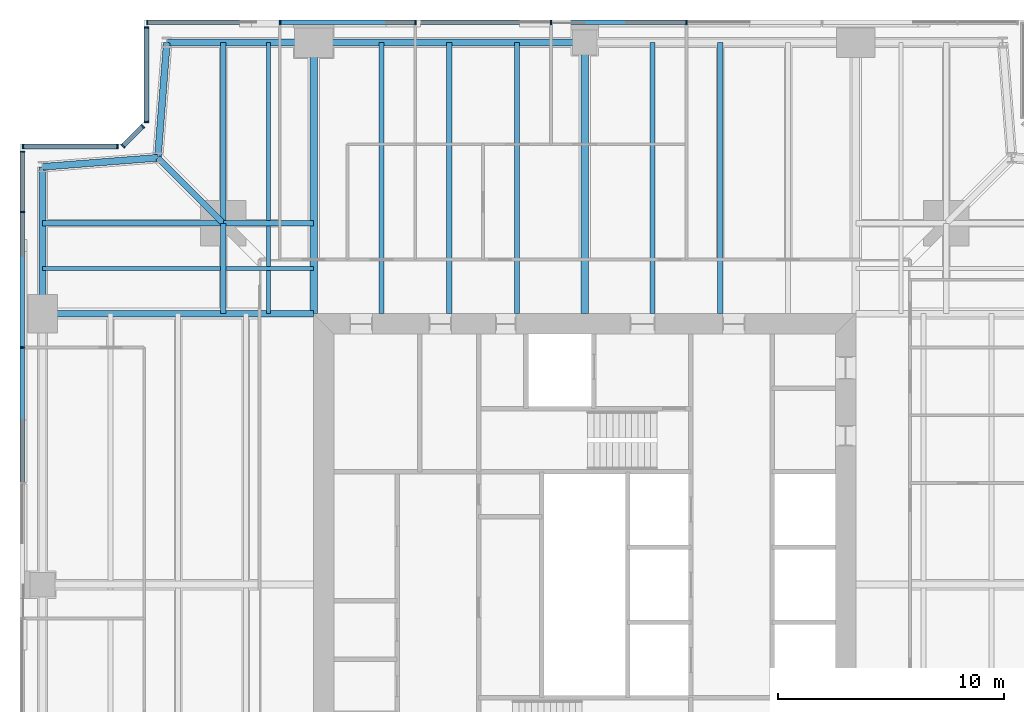
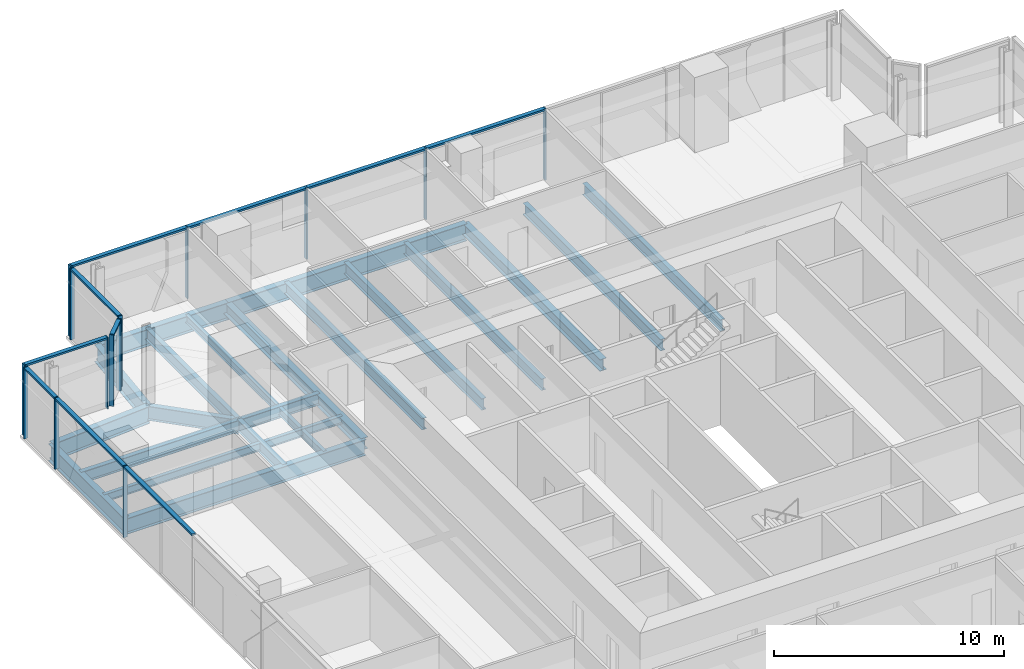
# One storey, part 6 of 15: 24 members, 23 beams, 5 elements without a shape of their own.
"""IFC4 building model written with IfcOpenShell, lengths in metres."""

import ifcopenshell
import ifcopenshell.guid

model = None  # the IFC model being written
_history = None  # IfcOwnerHistory: only IFC2X3 demands one
_inside = {}  # id of a spatial element -> (the spatial element, [elements in it])
_under = {}  # id of a project, library or spatial element -> (it, [spatial elements below it])
_declared = {}  # id of a project -> (the project, [libraries it declares])
_typed = {}  # id of a type object -> (the type object, [elements of that type])
_made_of = {}  # id of a material, layer set ... -> (it, [elements and type objects made of it])


def new_model(schema):
    """Start an empty IFC model of exactly this schema.

    Asked for "IFC4X3", IfcOpenShell would pick the latest addendum, in which some entities
    have other attributes; the version numbers below select the first issue.
    IFC2X3 requires an IfcOwnerHistory on every rooted entity: one is made here for all.
    """
    global model, _history
    if schema == "IFC4X3":
        model = ifcopenshell.file(schema_version=(4, 3, 0, 0))
    else:
        model = ifcopenshell.file(schema=schema)
    _inside.clear()
    _under.clear()
    _declared.clear()
    _typed.clear()
    _made_of.clear()
    _history = None
    if model.schema == "IFC2X3":
        org = make("IfcOrganization", Name="unknown")
        user = make(
            "IfcPersonAndOrganization",
            ThePerson=make("IfcPerson", FamilyName="unknown"),
            TheOrganization=org,
        )
        app = make(
            "IfcApplication",
            ApplicationDeveloper=org,
            Version="unknown",
            ApplicationFullName="unknown",
            ApplicationIdentifier="unknown",
        )
        _history = make(
            "IfcOwnerHistory",
            OwningUser=user,
            OwningApplication=app,
            ChangeAction="ADDED",
            CreationDate=0,
        )
    return model


def make(cls, **values):
    """One entity of the class cls with the attributes given. An attribute that is None is left unset."""
    return model.create_entity(
        cls, **{name: value for name, value in values.items() if value is not None}
    )


def rooted(cls, **values):
    """An entity with a GlobalId (a new one), such as an element, a storey or a relation."""
    return make(cls, GlobalId=ifcopenshell.guid.new(), OwnerHistory=_history, **values)


def si_unit(unit_type, name, prefix=None):
    """IfcSIUnit, for example si_unit("LENGTHUNIT", "METRE", prefix="MILLI")."""
    return make("IfcSIUnit", UnitType=unit_type, Prefix=prefix, Name=name)


def assignment(units):
    """IfcUnitAssignment: the units of a project."""
    return None if units is None else make("IfcUnitAssignment", Units=units)


def point(xyz):
    """IfcCartesianPoint."""
    return None if xyz is None else make("IfcCartesianPoint", Coordinates=xyz)


def direction(xyz):
    """IfcDirection."""
    return None if xyz is None else make("IfcDirection", DirectionRatios=xyz)


def frame(location, z_axis=None, x_axis=None):
    """IfcAxis2Placement3D, a coordinate frame: its origin and axes. An axis left out is left unset."""
    return make(
        "IfcAxis2Placement3D",
        Location=point(location),
        Axis=direction(z_axis),
        RefDirection=direction(x_axis),
    )


def frame_2d(location, x_axis=None):
    """IfcAxis2Placement2D, a coordinate frame in the plane: its origin and x axis."""
    return make(
        "IfcAxis2Placement2D", Location=point(location), RefDirection=direction(x_axis)
    )


def origin():
    """The frame at (0, 0, 0) with its axes left unset."""
    return frame((0.0, 0.0, 0.0))


def origin_2d():
    """The frame at (0, 0) in the plane with its x axis left unset."""
    return frame_2d((0.0, 0.0))


def place(relative_to, where):
    """IfcLocalPlacement: puts the frame where relative to a parent placement (None: the world)."""
    return make(
        "IfcLocalPlacement", PlacementRelTo=relative_to, RelativePlacement=where
    )


def context(
    kind, dimensions, precision=None, world=None, true_north=None, identifier=None
):
    """IfcGeometricRepresentationContext, for example the 3D "Model" context."""
    return make(
        "IfcGeometricRepresentationContext",
        ContextIdentifier=identifier,
        ContextType=kind,
        CoordinateSpaceDimension=dimensions,
        Precision=precision,
        WorldCoordinateSystem=world,
        TrueNorth=true_north,
    )


def subcontext(parent, identifier, kind, view, scale=None):
    """IfcGeometricRepresentationSubContext, for example "Body" below "Model"."""
    return make(
        "IfcGeometricRepresentationSubContext",
        ContextIdentifier=identifier,
        ContextType=kind,
        ParentContext=parent,
        TargetScale=scale,
        TargetView=view,
    )


def project(units=None, contexts=None):
    """IfcProject with its units and contexts."""
    return rooted(
        "IfcProject",
        Name="project",
        RepresentationContexts=contexts,
        UnitsInContext=assignment(units),
    )


def spatial(cls, under=None, at=None, **own):
    """A site, building, storey or space (cls), placed at a placement, below another one or the project."""
    s = rooted(cls, ObjectPlacement=at, **own)
    if under is not None:
        _under.setdefault(under.id(), (under, []))[1].append(s)
    return s


def profile(cls, at=None, kind="AREA", **sizes):
    """A parametric profile (cls). Its sizes go by their IFC names, for example OverallWidth=200.0."""
    return make(cls, ProfileType=kind, Position=at, **sizes)


def rectangle(**sizes):
    """IfcRectangleProfileDef."""
    return profile("IfcRectangleProfileDef", **sizes)


def i_section(**sizes):
    """IfcIShapeProfileDef."""
    return profile("IfcIShapeProfileDef", **sizes)


def extrude(swept, where, along, depth):
    """IfcExtrudedAreaSolid: the profile swept, set in the frame where, extruded along a direction by depth."""
    return make(
        "IfcExtrudedAreaSolid",
        SweptArea=swept,
        Position=where,
        ExtrudedDirection=direction(along),
        Depth=depth,
    )


def shape(context_of_items, identifier, shape_type, items):
    """IfcShapeRepresentation: the items that make up one representation, for example the "Body"."""
    return make(
        "IfcShapeRepresentation",
        ContextOfItems=context_of_items,
        RepresentationIdentifier=identifier,
        RepresentationType=shape_type,
        Items=items,
    )


def material(Name=None, Category=None):
    """IfcMaterial."""
    return make("IfcMaterial", Name=Name, Category=Category)


def material_profile(
    of_material, cross_section, Name=None, Category=None, Priority=None
):
    """IfcMaterialProfile: a cross section and its material."""
    return make(
        "IfcMaterialProfile",
        Name=Name,
        Material=of_material,
        Profile=cross_section,
        Priority=Priority,
        Category=Category,
    )


def profile_set(profiles, Name=None, composite=None):
    """IfcMaterialProfileSet."""
    return make(
        "IfcMaterialProfileSet",
        Name=Name,
        MaterialProfiles=profiles,
        CompositeProfile=composite,
    )


def made_of(thing, what):
    """Note that an element or type object is made of a material, layer set ...; save() writes the relation."""
    if what is not None:
        _made_of.setdefault(what.id(), (what, []))[1].append(thing)
    return thing


def type_object(cls, material=None, **own):
    """A type object (cls), such as IfcWallType, which elements share."""
    return made_of(rooted(cls, **own), material)


def element(
    cls,
    number,
    at=None,
    inside=None,
    cuts=None,
    type_object=None,
    material=None,
    context=None,
    identifier="Body",
    shape_type=None,
    held_by="IfcProductDefinitionShape",
    body=None,
    shapes=None,
    **own,
):
    """One element of the class cls, such as IfcWall. Its Tag is "e" and its number.

    at: its placement. inside: the storey or other place that contains it. cuts: it is an
    opening in that element (IfcRelVoidsElement). A single representation is given by context,
    identifier, shape_type and body (its items); several are given by shapes. held_by: the class
    of the entity that holds the representations. save() writes the other relations.
    """
    e = rooted(cls, Tag="e%d" % number, ObjectPlacement=at, **own)
    if body is not None:
        shapes = [shape(context, identifier, shape_type, body)]
    if shapes is not None:
        e.Representation = make(held_by, Representations=shapes)
    if inside is not None:
        _inside.setdefault(inside.id(), (inside, []))[1].append(e)
    if cuts is not None:
        rooted(
            "IfcRelVoidsElement", RelatingBuildingElement=cuts, RelatedOpeningElement=e
        )
    if type_object is not None:
        _typed.setdefault(type_object.id(), (type_object, []))[1].append(e)
    return made_of(e, material)


def aggregate(whole, parts):
    """IfcRelAggregates: a whole, such as a stair, and the parts it consists of."""
    return rooted("IfcRelAggregates", RelatingObject=whole, RelatedObjects=parts)


def save(model, path):
    """Write the relations noted so far, then the file.

    IfcRelAggregates (storeys below a building ...), IfcRelContainedInSpatialStructure (elements
    in a storey), IfcRelDefinesByType, IfcRelAssociatesMaterial and IfcRelDeclares: one each for
    every whole, place, type object, material and project.
    """
    for whole, parts in _under.values():
        aggregate(whole, parts)
    for where, things in _inside.values():
        rooted(
            "IfcRelContainedInSpatialStructure",
            RelatedElements=things,
            RelatingStructure=where,
        )
    for kind, things in _typed.values():
        rooted("IfcRelDefinesByType", RelatedObjects=things, RelatingType=kind)
    for what, things in _made_of.values():
        rooted("IfcRelAssociatesMaterial", RelatedObjects=things, RelatingMaterial=what)
    for by, libraries in _declared.values():
        rooted("IfcRelDeclares", RelatingContext=by, RelatedDefinitions=libraries)
    model.write(path)


model = new_model("IFC4")

# Units and contexts
model_context = context("Model", 3, precision=1e-05, world=origin(), true_north=direction((0.0, 1.0)))
body_context = subcontext(model_context, "Body", "Model", "MODEL_VIEW")
ifc_project = project(units=[si_unit("LENGTHUNIT", "METRE"), si_unit("AREAUNIT", "SQUARE_METRE"), si_unit("VOLUMEUNIT", "CUBIC_METRE"), si_unit("PLANEANGLEUNIT", "RADIAN"), si_unit("MASSUNIT", "GRAM", prefix="KILO")], contexts=[model_context])

# Site, building, storey
site_placement = place(None, origin())
site = spatial("IfcSite", under=ifc_project, at=site_placement, CompositionType="ELEMENT")
building_placement = place(site_placement, origin())
building = spatial("IfcBuilding", under=site, at=building_placement, Name="Fenwick Lantern Interchange", CompositionType="ELEMENT")
storey_placement = place(building_placement, frame((0.0, 0.0, 229.800048828125)))
storey = spatial("IfcBuildingStorey", under=building, at=storey_placement, Name="L54", CompositionType="ELEMENT", Elevation=229.800048828125)

# Beams
ifc_material_1 = material(Name="Steel ASTM A992 Grade 50", Category="steel")
ifc_material_profile_1 = material_profile(ifc_material_1, i_section(OverallWidth=0.3046875, OverallDepth=0.911865234375, WebThickness=0.015869140625, FlangeThickness=0.02392578125, at=origin_2d()), Name="W36X150")
ifc_profile_set_1 = profile_set([ifc_material_profile_1], Name="Steel ASTM A992 Grade 50")
beam_type_1 = type_object("IfcBeamType", Name="EDGE BEAM W36X150", PredefinedType="SPANDREL", material=ifc_profile_set_1)
beam_1_placement = place(storey_placement, frame((25.0, 49.0, -0.60595703125), z_axis=(-1.0, 0.0, 0.0), x_axis=(0.0, -1.0, 0.0)))
element("IfcBeam", 1, at=beam_1_placement, inside=storey, type_object=beam_type_1, Name="L54/FR/N/EB3", PredefinedType="SPANDREL", context=body_context, shape_type="SweptSolid", body=[
    extrude(i_section(OverallWidth=0.3046875, OverallDepth=0.911865234375, WebThickness=0.015869140625, FlangeThickness=0.02392578125, at=origin_2d()), origin(), (0.0, 0.0, 1.0), 12.0),
])
beam_2_placement = place(storey_placement, frame((13.0, 49.0, -0.60595703125), z_axis=(-1.0, 0.0, 0.0), x_axis=(0.0, -1.0, 0.0)))
element("IfcBeam", 2, at=beam_2_placement, inside=storey, type_object=beam_type_1, Name="L54/FR/N/EB4", PredefinedType="SPANDREL", context=body_context, shape_type="SweptSolid", body=[
    extrude(i_section(OverallWidth=0.3046875, OverallDepth=0.911865234375, WebThickness=0.015869140625, FlangeThickness=0.02392578125, at=origin_2d()), origin(), (0.0, 0.0, 1.0), 6.5),
])
for number, where, z_axis, x_axis, name in (
    (3, (6.5, 49.0, -0.60595703125), (-0.078170784639, -0.99693998236, 0.0), (0.99693998236, -0.078170784639, 0.0), "L54/FR/N/EBR1"),
    (4, (6.10009765625, 43.89990234375, -0.60595703125), (-0.99693998236, -0.078170784639, 0.0), (0.078170784639, -0.99693998236, 0.0), "L54/FR/N/EBR2"),
):
    element("IfcBeam", number, at=place(storey_placement, frame(where, z_axis=z_axis, x_axis=x_axis)), inside=storey, type_object=beam_type_1, Name=name, PredefinedType="SPANDREL", context=body_context, shape_type="SweptSolid", body=[
        extrude(i_section(OverallWidth=0.3046875, OverallDepth=0.911865234375, WebThickness=0.015869140625, FlangeThickness=0.02392578125, at=origin_2d()), origin(), (0.0, 0.0, 1.0), 5.11572265625),
    ])
beam_3_placement = place(storey_placement, frame((1.0, 43.5, -0.60595703125), z_axis=(0.0, -1.0, 0.0), x_axis=(1.0, 0.0, 0.0)))
element("IfcBeam", 5, at=beam_3_placement, inside=storey, type_object=beam_type_1, Name="L54/FR/W/EB1", PredefinedType="SPANDREL", context=body_context, shape_type="SweptSolid", body=[
    extrude(i_section(OverallWidth=0.3046875, OverallDepth=0.911865234375, WebThickness=0.015869140625, FlangeThickness=0.02392578125, at=origin_2d()), origin(), (0.0, 0.0, 1.0), 6.5),
])
ifc_material_profile_2 = material_profile(ifc_material_1, i_section(OverallWidth=0.22900390625, OverallDepth=0.612060546875, WebThickness=0.011962890625, FlangeThickness=0.01953125, at=origin_2d()), Name="W24X84")
ifc_profile_set_2 = profile_set([ifc_material_profile_2], Name="Steel ASTM A992 Grade 50")
beam_type_2 = type_object("IfcBeamType", Name="FLOOR BEAM W24X84", PredefinedType="BEAM", material=ifc_profile_set_2)
for number, where, z_axis, x_axis, name in (
    (6, (31.0, 49.0, -0.4560546875), (0.0, -1.0, 0.0), (1.0, 0.0, 0.0), "L54/FR/N/R03"),
    (7, (28.0, 49.0, -0.4560546875), (0.0, -1.0, 0.0), (1.0, 0.0, 0.0), "L54/FR/N/R04"),
    (8, (22.0, 49.0, -0.4560546875), (0.0, -1.0, 0.0), (1.0, 0.0, 0.0), "L54/FR/N/R06"),
    (9, (19.0, 49.0, -0.4560546875), (0.0, -1.0, 0.0), (1.0, 0.0, 0.0), "L54/FR/N/R07"),
    (10, (16.0, 49.0, -0.4560546875), (0.0, -1.0, 0.0), (1.0, 0.0, 0.0), "L54/FR/N/R08"),
):
    element("IfcBeam", number, at=place(storey_placement, frame(where, z_axis=z_axis, x_axis=x_axis)), inside=storey, type_object=beam_type_2, Name=name, PredefinedType="BEAM", context=body_context, shape_type="SweptSolid", body=[
        extrude(i_section(OverallWidth=0.22900390625, OverallDepth=0.612060546875, WebThickness=0.011962890625, FlangeThickness=0.01953125, at=origin_2d()), origin(), (0.0, 0.0, 1.0), 12.0),
    ])
ifc_material_profile_3 = material_profile(ifc_material_1, i_section(OverallWidth=0.177734375, OverallDepth=0.406494140625, WebThickness=0.0078125, FlangeThickness=0.012939453125, at=origin_2d()), Name="W16X40")
ifc_profile_set_3 = profile_set([ifc_material_profile_3], Name="Steel ASTM A992 Grade 50")
beam_type_3 = type_object("IfcBeamType", Name="INFILL BEAM W16X40", PredefinedType="JOIST", material=ifc_profile_set_3)
beam_4_placement = place(storey_placement, frame((1.0, 39.0, -0.353271484375), z_axis=(1.0, 0.0, 0.0), x_axis=(0.0, 1.0, 0.0)))
element("IfcBeam", 11, at=beam_4_placement, inside=storey, type_object=beam_type_3, Name="L54/FR/W/J1", PredefinedType="JOIST", context=body_context, shape_type="SweptSolid", body=[
    extrude(i_section(OverallWidth=0.177734375, OverallDepth=0.406494140625, WebThickness=0.0078125, FlangeThickness=0.012939453125, at=origin_2d()), origin(), (0.0, 0.0, 1.0), 7.885498046875),
])
beam_5_placement = place(storey_placement, frame((9.114501953125, 39.0, -0.353271484375), z_axis=(1.0, 0.0, 0.0), x_axis=(0.0, 1.0, 0.0)))
element("IfcBeam", 12, at=beam_5_placement, inside=storey, type_object=beam_type_3, Name="L54/FR/W/J2", PredefinedType="JOIST", context=body_context, shape_type="SweptSolid", body=[
    extrude(i_section(OverallWidth=0.177734375, OverallDepth=0.406494140625, WebThickness=0.0078125, FlangeThickness=0.012939453125, at=origin_2d()), origin(), (0.0, 0.0, 1.0), 3.885498046875),
])
beam_6_placement = place(storey_placement, frame((11.0, 49.0, -0.353271484375), z_axis=(0.0, -1.0, 0.0), x_axis=(1.0, 0.0, 0.0)))
element("IfcBeam", 13, at=beam_6_placement, inside=storey, type_object=beam_type_3, Name="L54/FR/W/J3", PredefinedType="JOIST", context=body_context, shape_type="SweptSolid", body=[
    extrude(i_section(OverallWidth=0.177734375, OverallDepth=0.406494140625, WebThickness=0.0078125, FlangeThickness=0.012939453125, at=origin_2d()), origin(), (0.0, 0.0, 1.0), 7.885498046875),
])
beam_7_placement = place(storey_placement, frame((11.0, 40.885498046875, -0.353271484375), z_axis=(0.0, -1.0, 0.0), x_axis=(1.0, 0.0, 0.0)))
element("IfcBeam", 14, at=beam_7_placement, inside=storey, type_object=beam_type_3, Name="L54/FR/W/J4", PredefinedType="JOIST", context=body_context, shape_type="SweptSolid", body=[
    extrude(i_section(OverallWidth=0.177734375, OverallDepth=0.406494140625, WebThickness=0.0078125, FlangeThickness=0.012939453125, at=origin_2d()), origin(), (0.0, 0.0, 1.0), 1.796630859375),
])
beam_8_placement = place(storey_placement, frame((11.0, 38.9111328125, -0.353271484375), z_axis=(0.0, -1.0, 0.0), x_axis=(1.0, 0.0, 0.0)))
element("IfcBeam", 15, at=beam_8_placement, inside=storey, type_object=beam_type_3, Name="L54/FR/W/J5", PredefinedType="JOIST", context=body_context, shape_type="SweptSolid", body=[
    extrude(i_section(OverallWidth=0.177734375, OverallDepth=0.406494140625, WebThickness=0.0078125, FlangeThickness=0.012939453125, at=origin_2d()), origin(), (0.0, 0.0, 1.0), 1.9111328125),
])
ifc_material_profile_4 = material_profile(ifc_material_1, i_section(OverallWidth=0.22900390625, OverallDepth=0.612060546875, WebThickness=0.011962890625, FlangeThickness=0.01953125, at=origin_2d()), Name="W24X84")
ifc_profile_set_4 = profile_set([ifc_material_profile_4], Name="Steel ASTM A992 Grade 50")
beam_type_4 = type_object("IfcBeamType", Name="MEGA COLUMN BEAM W24X84", PredefinedType="BEAM", material=ifc_profile_set_4)
for number, where, z_axis, x_axis, name in (
    (16, (9.0, 41.0, -0.4560546875), (-1.0, 0.0, 0.0), (0.0, -1.0, 0.0), "L54/FR/W/MB1"),
    (17, (9.0, 41.0, -0.4560546875), (0.0, 1.0, 0.0), (-1.0, 0.0, 0.0), "L54/FR/W/MB2"),
):
    element("IfcBeam", number, at=place(storey_placement, frame(where, z_axis=z_axis, x_axis=x_axis)), inside=storey, type_object=beam_type_4, Name=name, PredefinedType="BEAM", context=body_context, shape_type="SweptSolid", body=[
        extrude(i_section(OverallWidth=0.22900390625, OverallDepth=0.612060546875, WebThickness=0.011962890625, FlangeThickness=0.01953125, at=origin_2d()), origin(), (0.0, 0.0, 1.0), 8.0),
    ])
for number, where, z_axis, x_axis, name in (
    (18, (9.0, 41.0, -0.4560546875), (0.0, -1.0, 0.0), (1.0, 0.0, 0.0), "L54/FR/W/MB3"),
    (19, (9.0, 41.0, -0.4560546875), (1.0, 0.0, 0.0), (0.0, 1.0, 0.0), "L54/FR/W/MB4"),
):
    element("IfcBeam", number, at=place(storey_placement, frame(where, z_axis=z_axis, x_axis=x_axis)), inside=storey, type_object=beam_type_4, Name=name, PredefinedType="BEAM", context=body_context, shape_type="SweptSolid", body=[
        extrude(i_section(OverallWidth=0.22900390625, OverallDepth=0.612060546875, WebThickness=0.011962890625, FlangeThickness=0.01953125, at=origin_2d()), origin(), (0.0, 0.0, 1.0), 4.0),
    ])
ifc_material_profile_5 = material_profile(ifc_material_1, i_section(OverallWidth=0.32763671875, OverallDepth=0.622314453125, WebThickness=0.015380859375, FlangeThickness=0.0244140625, at=origin_2d()), Name="W24X131")
ifc_profile_set_5 = profile_set([ifc_material_profile_5], Name="Steel ASTM A992 Grade 50")
beam_type_5 = type_object("IfcBeamType", Name="MOMENT-CONNECTED GIRDER W24X131", PredefinedType="BEAM", material=ifc_profile_set_5)
for number, where, z_axis, x_axis, name in (
    (20, (25.0, 49.0, -0.461181640625), (0.0, -1.0, 0.0), (1.0, 0.0, 0.0), "L54/FR/N/R05"),
    (21, (13.0, 49.0, -0.461181640625), (0.0, -1.0, 0.0), (1.0, 0.0, 0.0), "L54/FR/N/R09"),
):
    element("IfcBeam", number, at=place(storey_placement, frame(where, z_axis=z_axis, x_axis=x_axis)), inside=storey, type_object=beam_type_5, Name=name, PredefinedType="BEAM", context=body_context, shape_type="SweptSolid", body=[
        extrude(i_section(OverallWidth=0.32763671875, OverallDepth=0.622314453125, WebThickness=0.015380859375, FlangeThickness=0.0244140625, at=origin_2d()), origin(), (0.0, 0.0, 1.0), 12.0),
    ])
ifc_material_profile_6 = material_profile(ifc_material_1, i_section(OverallWidth=0.2919921875, OverallDepth=0.845703125, WebThickness=0.015380859375, FlangeThickness=0.0244140625, at=origin_2d()), Name="W33X141")
ifc_profile_set_6 = profile_set([ifc_material_profile_6], Name="Steel ASTM A992 Grade 50")
beam_type_6 = type_object("IfcBeamType", Name="MOMENT-CONNECTED GIRDER W33X141", PredefinedType="BEAM", material=ifc_profile_set_6)
beam_9_placement = place(storey_placement, frame((1.0, 37.0, -0.572998046875), z_axis=(1.0, 0.0, 0.0), x_axis=(0.0, 1.0, 0.0)))
element("IfcBeam", 22, at=beam_9_placement, inside=storey, type_object=beam_type_6, Name="L54/FR/W/R01", PredefinedType="BEAM", context=body_context, shape_type="SweptSolid", body=[
    extrude(i_section(OverallWidth=0.2919921875, OverallDepth=0.845703125, WebThickness=0.015380859375, FlangeThickness=0.0244140625, at=origin_2d()), origin(), (0.0, 0.0, 1.0), 12.0),
])
ifc_material_profile_7 = material_profile(ifc_material_1, i_section(OverallWidth=0.2666015625, OverallDepth=0.7568359375, WebThickness=0.013916015625, FlangeThickness=0.019287109375, at=origin_2d()), Name="W30X108")
ifc_profile_set_7 = profile_set([ifc_material_profile_7], Name="Steel ASTM A992 Grade 50")
beam_type_7 = type_object("IfcBeamType", Name="NOTCH BEAM W30X108", PredefinedType="BEAM", material=ifc_profile_set_7)
beam_10_placement = place(storey_placement, frame((9.0, 41.0, -0.528564453125), z_axis=(-0.707106781187, 0.707106781187, 0.0), x_axis=(-0.707106781187, -0.707106781187, 0.0)))
element("IfcBeam", 23, at=beam_10_placement, inside=storey, type_object=beam_type_7, Name="L54/FR/W/TG", PredefinedType="BEAM", context=body_context, shape_type="SweptSolid", body=[
    extrude(i_section(OverallWidth=0.2666015625, OverallDepth=0.7568359375, WebThickness=0.013916015625, FlangeThickness=0.019287109375, at=origin_2d()), origin(), (0.0, 0.0, 1.0), 4.10107421875),
])

# Curtain wall, members
ifc_material_2 = material(Name="Aluminium curtain wall frame", Category="aluminium")
curtain_wall_type = type_object("IfcCurtainWallType", Name="OFFICE CURTAIN WALL", PredefinedType="USERDEFINED", material=ifc_material_2)
curtain_wall_1_placement = place(storey_placement, origin())
curtain_wall_1 = element("IfcCurtainWall", 24, at=curtain_wall_1_placement, inside=storey, type_object=curtain_wall_type, Name="Office curtain wall 09", ObjectType="OFFICE CURTAIN WALL", PredefinedType="USERDEFINED")
ifc_material_3 = material(Name="Aluminium extrusion", Category="aluminium")
ifc_material_profile_8 = material_profile(ifc_material_3, rectangle(XDim=0.199951171875, YDim=0.06494140625, at=origin_2d()), Name="OFFICE CURTAIN WALL MULLION 65 X 200")
ifc_profile_set_8 = profile_set([ifc_material_profile_8], Name="Aluminium extrusion")
member_type_1 = type_object("IfcMemberType", Name="OFFICE CURTAIN WALL MULLION 65 X 200", PredefinedType="MULLION", material=ifc_profile_set_8)
member_1_placement = place(storey_placement, frame((29.5, 49.89990234375, 0.0), z_axis=(0.0, 0.0, 1.0), x_axis=(0.0, -1.0, 0.0)))
member_1 = element("IfcMember", 25, at=member_1_placement, type_object=member_type_1, Name="L54/CW/09/M03", PredefinedType="MULLION", context=body_context, shape_type="SweptSolid", body=[
    extrude(rectangle(XDim=0.199951171875, YDim=0.06494140625, at=origin_2d()), origin(), (0.0, 0.0, 1.0), 3.800048828125),
])
member_2_placement = place(storey_placement, frame((23.5, 49.89990234375, 0.0), z_axis=(0.0, 0.0, 1.0), x_axis=(0.0, -1.0, 0.0)))
member_2 = element("IfcMember", 26, at=member_2_placement, type_object=member_type_1, Name="L54/CW/09/M04", PredefinedType="MULLION", context=body_context, shape_type="SweptSolid", body=[
    extrude(rectangle(XDim=0.199951171875, YDim=0.06494140625, at=origin_2d()), origin(), (0.0, 0.0, 1.0), 3.800048828125),
])
member_3_placement = place(storey_placement, frame((17.5, 49.89990234375, 0.0), z_axis=(0.0, 0.0, 1.0), x_axis=(0.0, -1.0, 0.0)))
member_3 = element("IfcMember", 27, at=member_3_placement, type_object=member_type_1, Name="L54/CW/09/M05", PredefinedType="MULLION", context=body_context, shape_type="SweptSolid", body=[
    extrude(rectangle(XDim=0.199951171875, YDim=0.06494140625, at=origin_2d()), origin(), (0.0, 0.0, 1.0), 3.800048828125),
])
member_4_placement = place(storey_placement, frame((11.5, 49.89990234375, 0.0), z_axis=(0.0, 0.0, 1.0), x_axis=(0.0, -1.0, 0.0)))
member_4 = element("IfcMember", 28, at=member_4_placement, type_object=member_type_1, Name="L54/CW/09/M06", PredefinedType="MULLION", context=body_context, shape_type="SweptSolid", body=[
    extrude(rectangle(XDim=0.199951171875, YDim=0.06494140625, at=origin_2d()), origin(), (0.0, 0.0, 1.0), 3.800048828125),
])
member_5_placement = place(storey_placement, frame((5.632568359375, 49.89990234375, 0.0), z_axis=(0.0, 0.0, 1.0), x_axis=(0.0, -1.0, 0.0)))
member_5 = element("IfcMember", 29, at=member_5_placement, type_object=member_type_1, Name="L54/CW/09/M07", PredefinedType="MULLION", context=body_context, shape_type="SweptSolid", body=[
    extrude(rectangle(XDim=0.199951171875, YDim=0.06494140625, at=origin_2d()), origin(), (0.0, 0.0, 1.0), 3.800048828125),
])

curtain_wall_2_placement = place(storey_placement, origin())
curtain_wall_2 = element("IfcCurtainWall", 30, at=curtain_wall_2_placement, inside=storey, type_object=curtain_wall_type, Name="Office curtain wall 10", ObjectType="OFFICE CURTAIN WALL", PredefinedType="USERDEFINED")
member_6_placement = place(storey_placement, frame((5.60009765625, 49.66748046875, 0.0), z_axis=(0.0, 0.0, 1.0), x_axis=(1.0, 0.0, 0.0)))
member_6 = element("IfcMember", 31, at=member_6_placement, type_object=member_type_1, Name="L54/CW/10/M00", PredefinedType="MULLION", context=body_context, shape_type="SweptSolid", body=[
    extrude(rectangle(XDim=0.199951171875, YDim=0.06494140625, at=origin_2d()), origin(), (0.0, 0.0, 1.0), 3.800048828125),
])
member_7_placement = place(storey_placement, frame((5.60009765625, 45.490966796875, 0.0), z_axis=(0.0, 0.0, 1.0), x_axis=(1.0, 0.0, 0.0)))
member_7 = element("IfcMember", 32, at=member_7_placement, type_object=member_type_1, Name="L54/CW/10/M01", PredefinedType="MULLION", context=body_context, shape_type="SweptSolid", body=[
    extrude(rectangle(XDim=0.199951171875, YDim=0.06494140625, at=origin_2d()), origin(), (0.0, 0.0, 1.0), 3.800048828125),
])

curtain_wall_3_placement = place(storey_placement, origin())
curtain_wall_3 = element("IfcCurtainWall", 33, at=curtain_wall_3_placement, inside=storey, type_object=curtain_wall_type, Name="Office curtain wall 11", ObjectType="OFFICE CURTAIN WALL", PredefinedType="USERDEFINED")
member_8_placement = place(storey_placement, frame((5.435546875, 45.294189453125, 0.0), z_axis=(0.0, 0.0, 1.0), x_axis=(0.707106781187, -0.707106781187, 0.0)))
member_8 = element("IfcMember", 34, at=member_8_placement, type_object=member_type_1, Name="L54/CW/11/M00", PredefinedType="MULLION", context=body_context, shape_type="SweptSolid", body=[
    extrude(rectangle(XDim=0.199951171875, YDim=0.06494140625, at=origin_2d()), origin(), (0.0, 0.0, 1.0), 3.800048828125),
])
member_9_placement = place(storey_placement, frame((4.564453125, 44.423095703125, 0.0), z_axis=(0.0, 0.0, 1.0), x_axis=(0.707106781187, -0.707106781187, 0.0)))
member_9 = element("IfcMember", 35, at=member_9_placement, type_object=member_type_1, Name="L54/CW/11/M01", PredefinedType="MULLION", context=body_context, shape_type="SweptSolid", body=[
    extrude(rectangle(XDim=0.199951171875, YDim=0.06494140625, at=origin_2d()), origin(), (0.0, 0.0, 1.0), 3.800048828125),
])

curtain_wall_4_placement = place(storey_placement, origin())
curtain_wall_4 = element("IfcCurtainWall", 36, at=curtain_wall_4_placement, inside=storey, type_object=curtain_wall_type, Name="Office curtain wall 12", ObjectType="OFFICE CURTAIN WALL", PredefinedType="USERDEFINED")
member_10_placement = place(storey_placement, frame((4.308837890625, 44.39990234375, 0.0), z_axis=(0.0, 0.0, 1.0), x_axis=(0.0, -1.0, 0.0)))
member_10 = element("IfcMember", 37, at=member_10_placement, type_object=member_type_1, Name="L54/CW/12/M00", PredefinedType="MULLION", context=body_context, shape_type="SweptSolid", body=[
    extrude(rectangle(XDim=0.199951171875, YDim=0.06494140625, at=origin_2d()), origin(), (0.0, 0.0, 1.0), 3.800048828125),
])
member_11_placement = place(storey_placement, frame((0.132568359375, 44.39990234375, 0.0), z_axis=(0.0, 0.0, 1.0), x_axis=(0.0, -1.0, 0.0)))
member_11 = element("IfcMember", 38, at=member_11_placement, type_object=member_type_1, Name="L54/CW/12/M01", PredefinedType="MULLION", context=body_context, shape_type="SweptSolid", body=[
    extrude(rectangle(XDim=0.199951171875, YDim=0.06494140625, at=origin_2d()), origin(), (0.0, 0.0, 1.0), 3.800048828125),
])

curtain_wall_5_placement = place(storey_placement, origin())
curtain_wall_5 = element("IfcCurtainWall", 39, at=curtain_wall_5_placement, inside=storey, type_object=curtain_wall_type, Name="Office curtain wall 13", ObjectType="OFFICE CURTAIN WALL", PredefinedType="USERDEFINED")
member_12_placement = place(storey_placement, frame((0.10009765625, 44.16748046875, 0.0), z_axis=(0.0, 0.0, 1.0), x_axis=(1.0, 0.0, 0.0)))
member_12 = element("IfcMember", 40, at=member_12_placement, type_object=member_type_1, Name="L54/CW/13/M00", PredefinedType="MULLION", context=body_context, shape_type="SweptSolid", body=[
    extrude(rectangle(XDim=0.199951171875, YDim=0.06494140625, at=origin_2d()), origin(), (0.0, 0.0, 1.0), 3.800048828125),
])
member_13_placement = place(storey_placement, frame((0.10009765625, 41.5, 0.0), z_axis=(0.0, 0.0, 1.0), x_axis=(1.0, 0.0, 0.0)))
member_13 = element("IfcMember", 41, at=member_13_placement, type_object=member_type_1, Name="L54/CW/13/M01", PredefinedType="MULLION", context=body_context, shape_type="SweptSolid", body=[
    extrude(rectangle(XDim=0.199951171875, YDim=0.06494140625, at=origin_2d()), origin(), (0.0, 0.0, 1.0), 3.800048828125),
])
member_14_placement = place(storey_placement, frame((0.10009765625, 35.5, 0.0), z_axis=(0.0, 0.0, 1.0), x_axis=(1.0, 0.0, 0.0)))
member_14 = element("IfcMember", 42, at=member_14_placement, type_object=member_type_1, Name="L54/CW/13/M02", PredefinedType="MULLION", context=body_context, shape_type="SweptSolid", body=[
    extrude(rectangle(XDim=0.199951171875, YDim=0.06494140625, at=origin_2d()), origin(), (0.0, 0.0, 1.0), 3.800048828125),
])

# Member
ifc_material_profile_9 = material_profile(ifc_material_3, rectangle(XDim=0.199951171875, YDim=0.10009765625, at=origin_2d()), Name="OFFICE CURTAIN WALL TRANSOM 100 X 200")
ifc_profile_set_9 = profile_set([ifc_material_profile_9], Name="Aluminium extrusion")
member_type_2 = type_object("IfcMemberType", Name="OFFICE CURTAIN WALL TRANSOM 100 X 200", PredefinedType="MULLION", material=ifc_profile_set_9)
member_15_placement = place(storey_placement, frame((29.467529296875, 49.89990234375, 3.75), z_axis=(-1.0, 0.0, 0.0), x_axis=(0.0, -1.0, 0.0)))
member_15 = element("IfcMember", 43, at=member_15_placement, type_object=member_type_2, Name="L54/CW/09/T03", PredefinedType="MULLION", context=body_context, shape_type="SweptSolid", body=[
    extrude(rectangle(XDim=0.199951171875, YDim=0.10009765625, at=origin_2d()), origin(), (0.0, 0.0, 1.0), 5.93505859375),
])

member_16_placement = place(storey_placement, frame((23.467529296875, 49.89990234375, 3.75), z_axis=(-1.0, 0.0, 0.0), x_axis=(0.0, -1.0, 0.0)))
member_16 = element("IfcMember", 44, at=member_16_placement, type_object=member_type_2, Name="L54/CW/09/T04", PredefinedType="MULLION", context=body_context, shape_type="SweptSolid", body=[
    extrude(rectangle(XDim=0.199951171875, YDim=0.10009765625, at=origin_2d()), origin(), (0.0, 0.0, 1.0), 5.93505859375),
])

member_17_placement = place(storey_placement, frame((17.467529296875, 49.89990234375, 3.75), z_axis=(-1.0, 0.0, 0.0), x_axis=(0.0, -1.0, 0.0)))
member_17 = element("IfcMember", 45, at=member_17_placement, type_object=member_type_2, Name="L54/CW/09/T05", PredefinedType="MULLION", context=body_context, shape_type="SweptSolid", body=[
    extrude(rectangle(XDim=0.199951171875, YDim=0.10009765625, at=origin_2d()), origin(), (0.0, 0.0, 1.0), 5.93505859375),
])

member_18_placement = place(storey_placement, frame((11.467529296875, 49.89990234375, 3.75), z_axis=(-1.0, 0.0, 0.0), x_axis=(0.0, -1.0, 0.0)))
member_18 = element("IfcMember", 46, at=member_18_placement, type_object=member_type_2, Name="L54/CW/09/T06", PredefinedType="MULLION", context=body_context, shape_type="SweptSolid", body=[
    extrude(rectangle(XDim=0.199951171875, YDim=0.10009765625, at=origin_2d()), origin(), (0.0, 0.0, 1.0), 5.802490234375),
])

aggregate(curtain_wall_1, [member_1, member_2, member_3, member_4, member_5, member_15, member_16, member_17, member_18])

member_19_placement = place(storey_placement, frame((5.60009765625, 49.635009765625, 3.75), z_axis=(0.0, -1.0, 0.0), x_axis=(1.0, 0.0, 0.0)))
member_19 = element("IfcMember", 47, at=member_19_placement, type_object=member_type_2, Name="L54/CW/10/T00", PredefinedType="MULLION", context=body_context, shape_type="SweptSolid", body=[
    extrude(rectangle(XDim=0.199951171875, YDim=0.10009765625, at=origin_2d()), origin(), (0.0, 0.0, 1.0), 4.111328125),
])

aggregate(curtain_wall_2, [member_6, member_7, member_19])

member_20_placement = place(storey_placement, frame((5.41259765625, 45.271240234375, 3.75), z_axis=(-0.707106781187, -0.707106781187, 0.0), x_axis=(0.707106781187, -0.707106781187, 0.0)))
member_20 = element("IfcMember", 48, at=member_20_placement, type_object=member_type_2, Name="L54/CW/11/T00", PredefinedType="MULLION", context=body_context, shape_type="SweptSolid", body=[
    extrude(rectangle(XDim=0.199951171875, YDim=0.10009765625, at=origin_2d()), origin(), (0.0, 0.0, 1.0), 1.1669921875),
])

aggregate(curtain_wall_3, [member_8, member_9, member_20])

member_21_placement = place(storey_placement, frame((4.2763671875, 44.39990234375, 3.75), z_axis=(-1.0, 0.0, 0.0), x_axis=(0.0, -1.0, 0.0)))
member_21 = element("IfcMember", 49, at=member_21_placement, type_object=member_type_2, Name="L54/CW/12/T00", PredefinedType="MULLION", context=body_context, shape_type="SweptSolid", body=[
    extrude(rectangle(XDim=0.199951171875, YDim=0.10009765625, at=origin_2d()), origin(), (0.0, 0.0, 1.0), 4.111328125),
])

aggregate(curtain_wall_4, [member_10, member_11, member_21])

member_22_placement = place(storey_placement, frame((0.10009765625, 44.135009765625, 3.75), z_axis=(0.0, -1.0, 0.0), x_axis=(1.0, 0.0, 0.0)))
member_22 = element("IfcMember", 50, at=member_22_placement, type_object=member_type_2, Name="L54/CW/13/T00", PredefinedType="MULLION", context=body_context, shape_type="SweptSolid", body=[
    extrude(rectangle(XDim=0.199951171875, YDim=0.10009765625, at=origin_2d()), origin(), (0.0, 0.0, 1.0), 2.6025390625),
])

member_23_placement = place(storey_placement, frame((0.10009765625, 41.467529296875, 3.75), z_axis=(0.0, -1.0, 0.0), x_axis=(1.0, 0.0, 0.0)))
member_23 = element("IfcMember", 51, at=member_23_placement, type_object=member_type_2, Name="L54/CW/13/T01", PredefinedType="MULLION", context=body_context, shape_type="SweptSolid", body=[
    extrude(rectangle(XDim=0.199951171875, YDim=0.10009765625, at=origin_2d()), origin(), (0.0, 0.0, 1.0), 5.93505859375),
])

member_24_placement = place(storey_placement, frame((0.10009765625, 35.467529296875, 3.75), z_axis=(0.0, -1.0, 0.0), x_axis=(1.0, 0.0, 0.0)))
member_24 = element("IfcMember", 52, at=member_24_placement, type_object=member_type_2, Name="L54/CW/13/T02", PredefinedType="MULLION", context=body_context, shape_type="SweptSolid", body=[
    extrude(rectangle(XDim=0.199951171875, YDim=0.10009765625, at=origin_2d()), origin(), (0.0, 0.0, 1.0), 5.93505859375),
])

aggregate(curtain_wall_5, [member_12, member_13, member_14, member_22, member_23, member_24])

save(model, "model.ifc")
